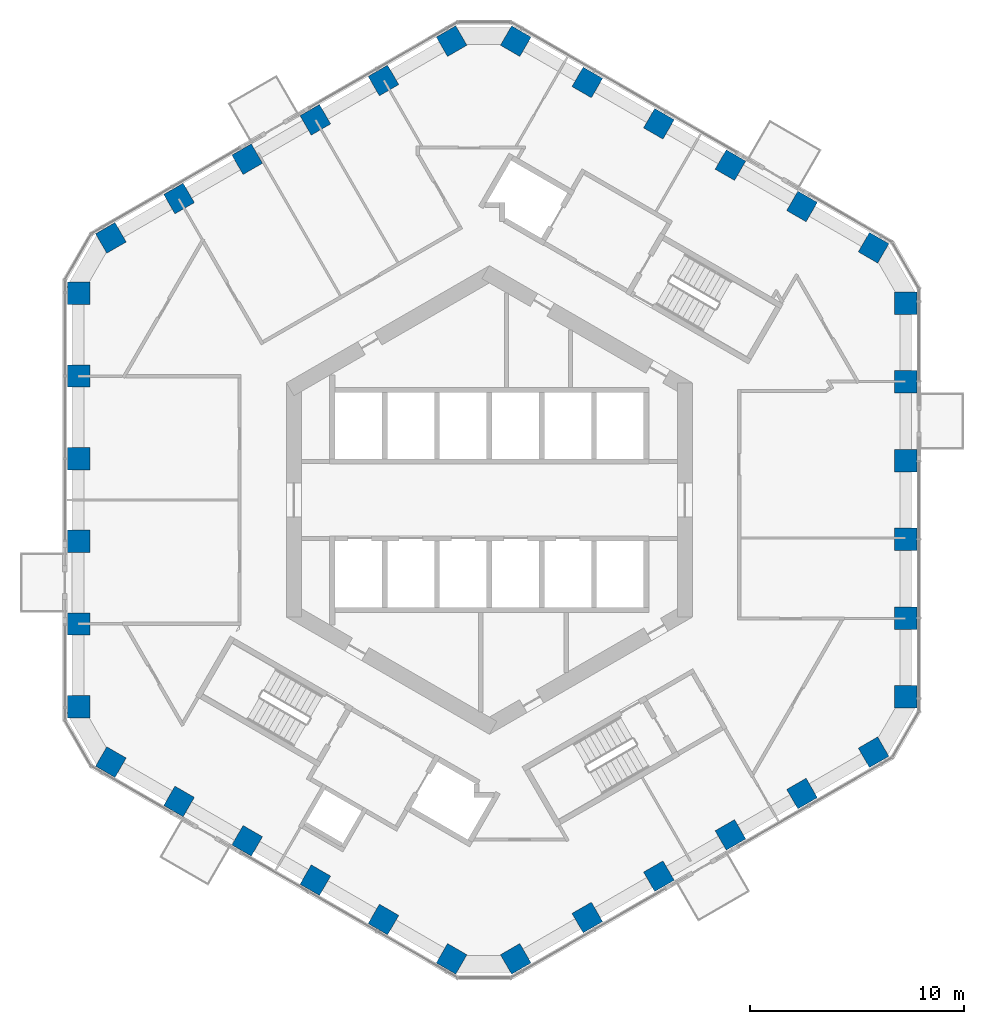
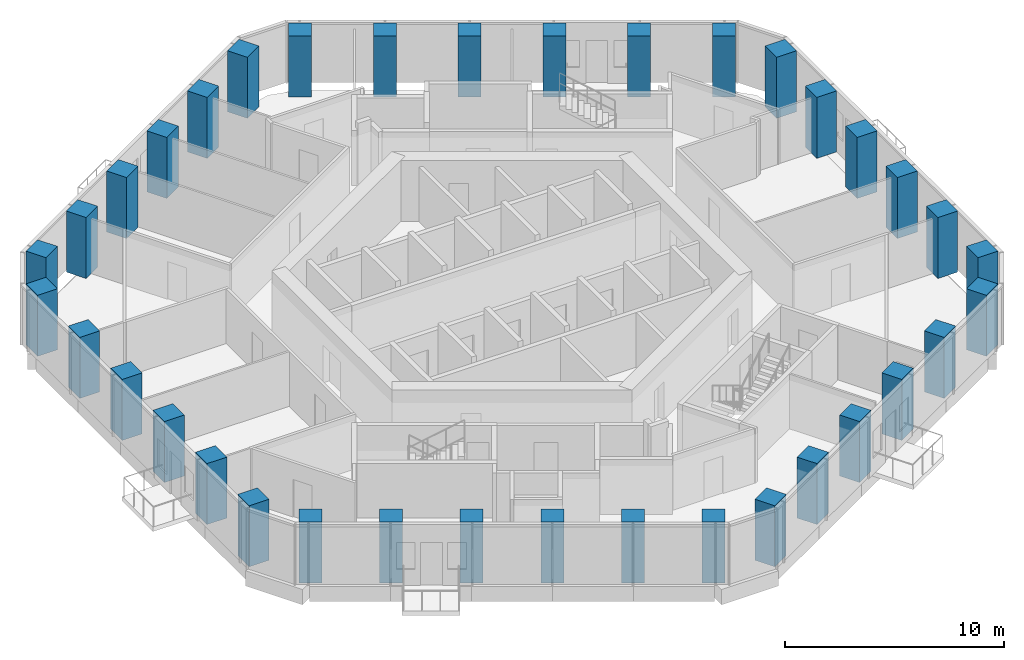
# One storey, part 1 of 20: 36 columns.
"""IFC4 building model written with IfcOpenShell, lengths in metres."""

from ifc_helpers import new_model, si_unit, direction, frame, origin, origin_2d, place, context, subcontext, project, spatial, rectangle, extrude, material, material_profile, profile_set, type_object, element, save


model = new_model("IFC4")

# Units and contexts
model_context = context("Model", 3, precision=1e-05, world=origin(), true_north=direction((0.0, 1.0)))
body_context = subcontext(model_context, "Body", "Model", "MODEL_VIEW")
ifc_project = project(units=[si_unit("LENGTHUNIT", "METRE"), si_unit("AREAUNIT", "SQUARE_METRE"), si_unit("VOLUMEUNIT", "CUBIC_METRE"), si_unit("PLANEANGLEUNIT", "RADIAN"), si_unit("MASSUNIT", "GRAM", prefix="KILO")], contexts=[model_context])

# Site, building, storey
site_placement = place(None, origin())
site = spatial("IfcSite", under=ifc_project, at=site_placement, CompositionType="ELEMENT")
building_placement = place(site_placement, origin())
building = spatial("IfcBuilding", under=site, at=building_placement, Name="Ayvan Gate Tower", CompositionType="ELEMENT")
storey_placement = place(building_placement, frame((0.0, 0.0, 96.699951171875)))
storey = spatial("IfcBuildingStorey", under=building, at=storey_placement, Name="L25", CompositionType="ELEMENT", Elevation=96.699951171875)

# Columns
ifc_material = material(Name="Concrete C60/75", Category="concrete")
ifc_material_profile = material_profile(ifc_material, rectangle(XDim=1.050048828125, YDim=1.050048828125, at=origin_2d()), Name="RC 1050x1050")
ifc_profile_set = profile_set([ifc_material_profile], Name="Concrete C60/75")
column_type = type_object("IfcColumnType", Name="Tube column RC 1050x1050 C60/75", PredefinedType="COLUMN", material=ifc_profile_set)
for number, where, z_axis, x_axis, name in (
    (1, (19.485595703125, -9.20947265625, 0.0), (0.0, 0.0, 1.0), (1.0, 0.0, 0.0), "C-T0-0-L25"),
    (2, (19.485595703125, -5.525634765625, 0.0), (0.0, 0.0, 1.0), (1.0, 0.0, 0.0), "C-T0-1-L25"),
    (3, (19.485595703125, -1.841796875, 0.0), (0.0, 0.0, 1.0), (1.0, 0.0, 0.0), "C-T0-2-L25"),
    (4, (19.485595703125, 1.841796875, 0.0), (0.0, 0.0, 1.0), (1.0, 0.0, 0.0), "C-T0-3-L25"),
    (5, (19.485595703125, 5.525634765625, 0.0), (0.0, 0.0, 1.0), (1.0, 0.0, 0.0), "C-T0-4-L25"),
    (6, (19.485595703125, 9.20947265625, 0.0), (0.0, 0.0, 1.0), (1.0, 0.0, 0.0), "C-T0-5-L25"),
    (7, (17.985595703125, 11.8076171875, 0.0), (0.0, 0.0, 1.0), (0.5, 0.866025403784, 0.0), "C-T1-0-L25"),
    (8, (14.635009765625, 13.7421875, 0.0), (0.0, 0.0, 1.0), (0.5, 0.866025403784, 0.0), "C-T1-1-L25"),
    (9, (11.284423828125, 15.676513671875, 0.0), (0.0, 0.0, 1.0), (0.5, 0.866025403784, 0.0), "C-T1-2-L25"),
    (10, (7.93408203125, 17.61083984375, 0.0), (0.0, 0.0, 1.0), (0.5, 0.866025403784, 0.0), "C-T1-3-L25"),
    (11, (4.58349609375, 19.54541015625, 0.0), (0.0, 0.0, 1.0), (0.5, 0.866025403784, 0.0), "C-T1-4-L25"),
    (12, (1.23291015625, 21.479736328125, 0.0), (0.0, 0.0, 1.0), (0.5, 0.866025403784, 0.0), "C-T1-5-L25"),
    (13, (-1.76708984375, 21.479736328125, 0.0), (0.0, 0.0, 1.0), (-0.5, 0.866025403784, 0.0), "C-T2-0-L25"),
    (14, (-4.957275390625, 19.637939453125, 0.0), (0.0, 0.0, 1.0), (-0.5, 0.866025403784, 0.0), "C-T2-1-L25"),
    (15, (-8.147705078125, 17.7958984375, 0.0), (0.0, 0.0, 1.0), (-0.5, 0.866025403784, 0.0), "C-T2-2-L25"),
    (16, (-11.337890625, 15.9541015625, 0.0), (0.0, 0.0, 1.0), (-0.5, 0.866025403784, 0.0), "C-T2-3-L25"),
    (17, (-14.5283203125, 14.112060546875, 0.0), (0.0, 0.0, 1.0), (-0.5, 0.866025403784, 0.0), "C-T2-4-L25"),
    (18, (-17.718505859375, 12.270263671875, 0.0), (0.0, 0.0, 1.0), (-0.5, 0.866025403784, 0.0), "C-T2-5-L25"),
    (19, (-19.218505859375, 9.672119140625, 0.0), (0.0, 0.0, 1.0), (-1.0, 0.0, 0.0), "C-T3-0-L25"),
    (20, (-19.218505859375, 5.80322265625, 0.0), (0.0, 0.0, 1.0), (-1.0, 0.0, 0.0), "C-T3-1-L25"),
    (21, (-19.218505859375, 1.934326171875, 0.0), (0.0, 0.0, 1.0), (-1.0, 0.0, 0.0), "C-T3-2-L25"),
    (22, (-19.218505859375, -1.934326171875, 0.0), (0.0, 0.0, 1.0), (-1.0, 0.0, 0.0), "C-T3-3-L25"),
    (23, (-19.218505859375, -5.80322265625, 0.0), (0.0, 0.0, 1.0), (-1.0, 0.0, 0.0), "C-T3-4-L25"),
    (24, (-19.218505859375, -9.672119140625, 0.0), (0.0, 0.0, 1.0), (-1.0, 0.0, 0.0), "C-T3-5-L25"),
    (25, (-17.718505859375, -12.270263671875, 0.0), (0.0, 0.0, 1.0), (-0.5, -0.866025403784, 0.0), "C-T4-0-L25"),
    (26, (-14.5283203125, -14.112060546875, 0.0), (0.0, 0.0, 1.0), (-0.5, -0.866025403784, 0.0), "C-T4-1-L25"),
    (27, (-11.337890625, -15.9541015625, 0.0), (0.0, 0.0, 1.0), (-0.5, -0.866025403784, 0.0), "C-T4-2-L25"),
    (28, (-8.147705078125, -17.7958984375, 0.0), (0.0, 0.0, 1.0), (-0.5, -0.866025403784, 0.0), "C-T4-3-L25"),
    (29, (-4.957275390625, -19.637939453125, 0.0), (0.0, 0.0, 1.0), (-0.5, -0.866025403784, 0.0), "C-T4-4-L25"),
    (30, (-1.76708984375, -21.479736328125, 0.0), (0.0, 0.0, 1.0), (-0.5, -0.866025403784, 0.0), "C-T4-5-L25"),
    (31, (1.23291015625, -21.479736328125, 0.0), (0.0, 0.0, 1.0), (0.5, -0.866025403784, 0.0), "C-T5-0-L25"),
    (32, (4.58349609375, -19.54541015625, 0.0), (0.0, 0.0, 1.0), (0.5, -0.866025403784, 0.0), "C-T5-1-L25"),
    (33, (7.93408203125, -17.61083984375, 0.0), (0.0, 0.0, 1.0), (0.5, -0.866025403784, 0.0), "C-T5-2-L25"),
    (34, (11.284423828125, -15.676513671875, 0.0), (0.0, 0.0, 1.0), (0.5, -0.866025403784, 0.0), "C-T5-3-L25"),
    (35, (14.635009765625, -13.7421875, 0.0), (0.0, 0.0, 1.0), (0.5, -0.866025403784, 0.0), "C-T5-4-L25"),
    (36, (17.985595703125, -11.8076171875, 0.0), (0.0, 0.0, 1.0), (0.5, -0.866025403784, 0.0), "C-T5-5-L25"),
):
    element("IfcColumn", number, at=place(storey_placement, frame(where, z_axis=z_axis, x_axis=x_axis)), inside=storey, type_object=column_type, Name=name, PredefinedType="COLUMN", context=body_context, shape_type="SweptSolid", body=[
        extrude(rectangle(XDim=1.050048828125, YDim=1.050048828125, at=origin_2d()), origin(), (0.0, 0.0, 1.0), 3.400146484375),
    ])

save(model, "model.ifc")
